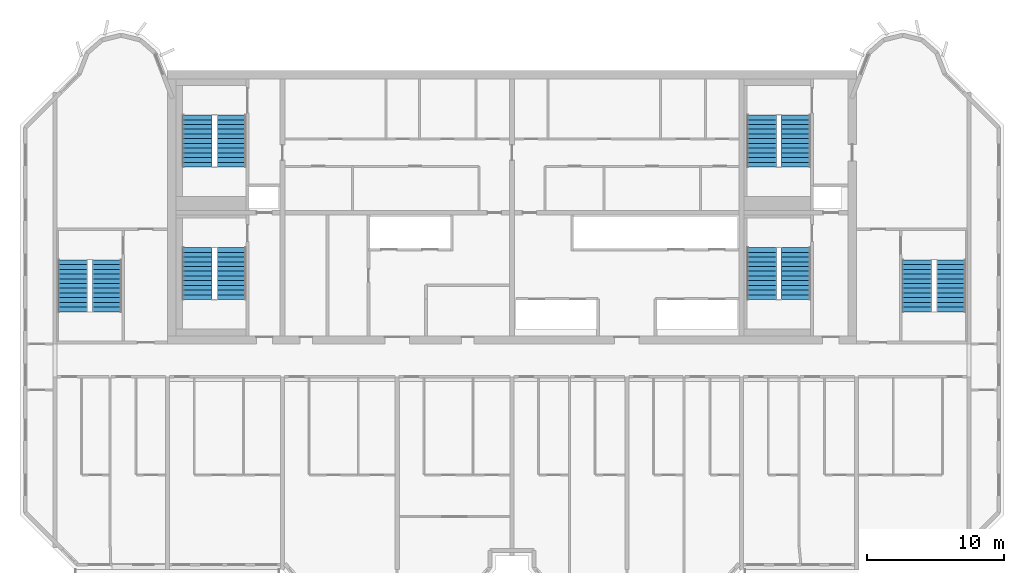
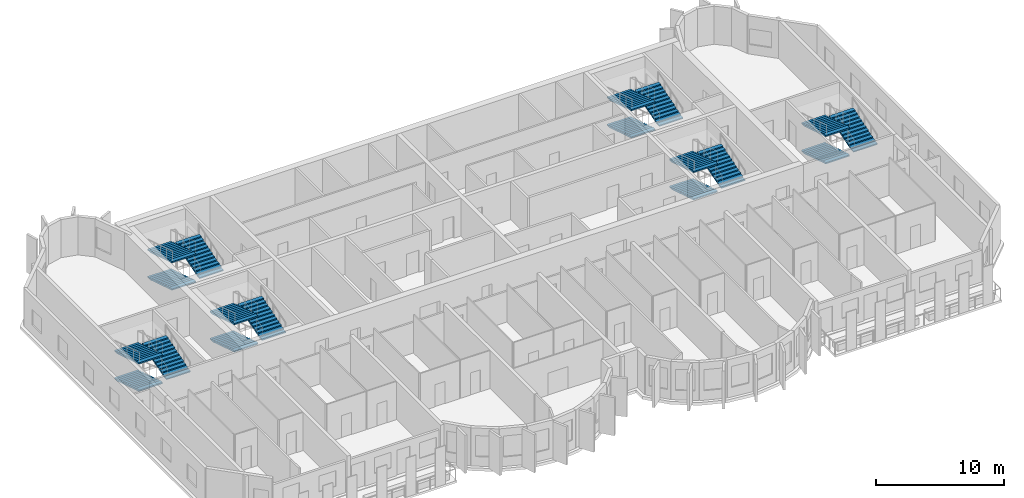
# One storey, part 9 of 11: 18 stair flights, 6 elements without a shape of their own.
"""IFC4 building model written with IfcOpenShell, lengths in metres."""

from ifc_helpers import new_model, si_unit, direction, frame, origin, place, context, subcontext, project, spatial, polyline, outline, extrude, source, transform, mapped, material, type_object, element, aggregate, save


model = new_model("IFC4")

# Units and contexts
model_context = context("Model", 3, precision=1e-05, world=origin(), true_north=direction((0.0, 1.0)))
body_context = subcontext(model_context, "Body", "Model", "MODEL_VIEW")
ifc_project = project(units=[si_unit("LENGTHUNIT", "METRE"), si_unit("AREAUNIT", "SQUARE_METRE"), si_unit("VOLUMEUNIT", "CUBIC_METRE"), si_unit("PLANEANGLEUNIT", "RADIAN"), si_unit("MASSUNIT", "GRAM", prefix="KILO")], contexts=[model_context])

# Site, building, storey
site_placement = place(None, origin())
site = spatial("IfcSite", under=ifc_project, at=site_placement, CompositionType="ELEMENT")
building_placement = place(site_placement, origin())
building = spatial("IfcBuilding", under=site, at=building_placement, Name="Vanashikhar Sky Hotel", CompositionType="ELEMENT")
storey_placement = place(building_placement, frame((0.0, 0.0, 217.89990234375)))
storey = spatial("IfcBuildingStorey", under=building, at=storey_placement, Name="L52", CompositionType="ELEMENT", Elevation=217.89990234375)

# Stair, stair flights
ifc_material = material(Name="Concrete M40", Category="concrete")
stair_type = type_object("IfcStairType", Name="Exit stair 2150", PredefinedType="DOUBLE_RETURN_STAIR", material=ifc_material)
stair_1_placement = place(storey_placement, origin())
stair_1 = element("IfcStair", 1, at=stair_1_placement, inside=storey, type_object=stair_type, Name="L52 Exit stair 1", PredefinedType="DOUBLE_RETURN_STAIR")
stair_flight_type = type_object("IfcStairFlightType", Name="Stair flight 2150", PredefinedType="STRAIGHT", material=ifc_material)
shared_shape = source(origin(), body_context, "Body", "SweptSolid", [
    extrude(outline(polyline([(0.0, 0.0), (0.0, 0.1083984375), (0.345458984375, 0.1083984375), (0.345458984375, 0.216552734375), (0.69091796875, 0.216552734375), (0.69091796875, 0.324951171875), (1.036376953125, 0.324951171875), (1.036376953125, 0.433349609375), (1.3818359375, 0.433349609375), (1.3818359375, 0.541748046875), (1.727294921875, 0.541748046875), (1.727294921875, 0.64990234375), (2.07275390625, 0.64990234375), (2.07275390625, 0.75830078125), (2.418212890625, 0.75830078125), (2.418212890625, 0.86669921875), (2.763671875, 0.86669921875), (2.763671875, 0.97509765625), (3.109130859375, 0.97509765625), (3.109130859375, 1.083251953125), (3.45458984375, 1.083251953125), (3.45458984375, 1.191650390625), (3.800048828125, 1.191650390625), (3.800048828125, 1.300048828125), (3.800048828125, 1.065673828125), (0.4013671875, 0.0), (0.0, 0.0)])), frame((0.0, 1.074951171875, 0.0), z_axis=(0.0, -1.0, 0.0), x_axis=(1.0, 0.0, 0.0)), (0.0, 0.0, 1.0), 2.14990234375),
])
stair_flight_1_placement = place(storey_placement, frame((27.375, 29.050048828125, 0.0), z_axis=(0.0, 0.0, 1.0), x_axis=(0.0, -1.0, 0.0)))
stair_flight_1 = element("IfcStairFlight", 2, at=stair_flight_1_placement, type_object=stair_flight_type, Name="ST-C1 flight 1", NumberOfRisers=12, NumberOfTreads=11, PredefinedType="STRAIGHT", RiserHeight=0.108333333, TreadLength=0.345454545, context=body_context, shape_type="MappedRepresentation", body=[
    mapped(shared_shape, transform((0.0, 0.0, 0.0), scale=1.0)),
])
stair_flight_2_placement = place(storey_placement, frame((29.875, 25.25, 1.300048828125), z_axis=(0.0, 0.0, 1.0), x_axis=(0.0, 1.0, 0.0)))
stair_flight_2 = element("IfcStairFlight", 3, at=stair_flight_2_placement, type_object=stair_flight_type, Name="ST-C1 flight 2", NumberOfRisers=12, NumberOfTreads=11, PredefinedType="STRAIGHT", RiserHeight=0.108333333, TreadLength=0.345454545, context=body_context, shape_type="MappedRepresentation", body=[
    mapped(shared_shape, transform((0.0, 0.0, 0.0), scale=1.0)),
])
stair_flight_3_placement = place(storey_placement, frame((27.375, 29.050048828125, 2.60009765625), z_axis=(0.0, 0.0, 1.0), x_axis=(0.0, -1.0, 0.0)))
stair_flight_3 = element("IfcStairFlight", 4, at=stair_flight_3_placement, type_object=stair_flight_type, Name="ST-C1 flight 3", NumberOfRisers=12, NumberOfTreads=11, PredefinedType="STRAIGHT", RiserHeight=0.108333333, TreadLength=0.345454545, context=body_context, shape_type="MappedRepresentation", body=[
    mapped(shared_shape, transform((0.0, 0.0, 0.0), scale=1.0)),
])
aggregate(stair_1, [stair_flight_1, stair_flight_2, stair_flight_3])

stair_2_placement = place(storey_placement, origin())
stair_2 = element("IfcStair", 5, at=stair_2_placement, inside=storey, type_object=stair_type, Name="L52 Exit stair 2", PredefinedType="DOUBLE_RETURN_STAIR")
stair_flight_4_placement = place(storey_placement, frame((68.675048828125, 29.050048828125, 0.0), z_axis=(0.0, 0.0, 1.0), x_axis=(0.0, -1.0, 0.0)))
stair_flight_4 = element("IfcStairFlight", 6, at=stair_flight_4_placement, type_object=stair_flight_type, Name="ST-C2 flight 1", NumberOfRisers=12, NumberOfTreads=11, PredefinedType="STRAIGHT", RiserHeight=0.108333333, TreadLength=0.345454545, context=body_context, shape_type="MappedRepresentation", body=[
    mapped(shared_shape, transform((0.0, 0.0, 0.0), scale=1.0)),
])
stair_flight_5_placement = place(storey_placement, frame((71.175048828125, 25.25, 1.300048828125), z_axis=(0.0, 0.0, 1.0), x_axis=(0.0, 1.0, 0.0)))
stair_flight_5 = element("IfcStairFlight", 7, at=stair_flight_5_placement, type_object=stair_flight_type, Name="ST-C2 flight 2", NumberOfRisers=12, NumberOfTreads=11, PredefinedType="STRAIGHT", RiserHeight=0.108333333, TreadLength=0.345454545, context=body_context, shape_type="MappedRepresentation", body=[
    mapped(shared_shape, transform((0.0, 0.0, 0.0), scale=1.0)),
])
stair_flight_6_placement = place(storey_placement, frame((68.675048828125, 29.050048828125, 2.60009765625), z_axis=(0.0, 0.0, 1.0), x_axis=(0.0, -1.0, 0.0)))
stair_flight_6 = element("IfcStairFlight", 8, at=stair_flight_6_placement, type_object=stair_flight_type, Name="ST-C2 flight 3", NumberOfRisers=12, NumberOfTreads=11, PredefinedType="STRAIGHT", RiserHeight=0.108333333, TreadLength=0.345454545, context=body_context, shape_type="MappedRepresentation", body=[
    mapped(shared_shape, transform((0.0, 0.0, 0.0), scale=1.0)),
])
aggregate(stair_2, [stair_flight_4, stair_flight_5, stair_flight_6])

stair_3_placement = place(storey_placement, origin())
stair_3 = element("IfcStair", 9, at=stair_3_placement, inside=storey, type_object=stair_type, Name="L52 Exit stair 3", PredefinedType="DOUBLE_RETURN_STAIR")
stair_flight_7_placement = place(storey_placement, frame((18.27490234375, 28.14990234375, 0.0), z_axis=(0.0, 0.0, 1.0), x_axis=(0.0, -1.0, 0.0)))
stair_flight_7 = element("IfcStairFlight", 10, at=stair_flight_7_placement, type_object=stair_flight_type, Name="ST-W flight 1", NumberOfRisers=12, NumberOfTreads=11, PredefinedType="STRAIGHT", RiserHeight=0.108333333, TreadLength=0.345454545, context=body_context, shape_type="MappedRepresentation", body=[
    mapped(shared_shape, transform((0.0, 0.0, 0.0), scale=1.0)),
])
stair_flight_8_placement = place(storey_placement, frame((20.77490234375, 24.35009765625, 1.300048828125), z_axis=(0.0, 0.0, 1.0), x_axis=(0.0, 1.0, 0.0)))
stair_flight_8 = element("IfcStairFlight", 11, at=stair_flight_8_placement, type_object=stair_flight_type, Name="ST-W flight 2", NumberOfRisers=12, NumberOfTreads=11, PredefinedType="STRAIGHT", RiserHeight=0.108333333, TreadLength=0.345454545, context=body_context, shape_type="MappedRepresentation", body=[
    mapped(shared_shape, transform((0.0, 0.0, 0.0), scale=1.0)),
])
stair_flight_9_placement = place(storey_placement, frame((18.27490234375, 28.14990234375, 2.60009765625), z_axis=(0.0, 0.0, 1.0), x_axis=(0.0, -1.0, 0.0)))
stair_flight_9 = element("IfcStairFlight", 12, at=stair_flight_9_placement, type_object=stair_flight_type, Name="ST-W flight 3", NumberOfRisers=12, NumberOfTreads=11, PredefinedType="STRAIGHT", RiserHeight=0.108333333, TreadLength=0.345454545, context=body_context, shape_type="MappedRepresentation", body=[
    mapped(shared_shape, transform((0.0, 0.0, 0.0), scale=1.0)),
])
aggregate(stair_3, [stair_flight_7, stair_flight_8, stair_flight_9])

stair_4_placement = place(storey_placement, origin())
stair_4 = element("IfcStair", 13, at=stair_4_placement, inside=storey, type_object=stair_type, Name="L52 Exit stair 4", PredefinedType="DOUBLE_RETURN_STAIR")
stair_flight_10_placement = place(storey_placement, frame((80.02490234375, 28.14990234375, 0.0), z_axis=(0.0, 0.0, 1.0), x_axis=(0.0, -1.0, 0.0)))
stair_flight_10 = element("IfcStairFlight", 14, at=stair_flight_10_placement, type_object=stair_flight_type, Name="ST-E flight 1", NumberOfRisers=12, NumberOfTreads=11, PredefinedType="STRAIGHT", RiserHeight=0.108333333, TreadLength=0.345454545, context=body_context, shape_type="MappedRepresentation", body=[
    mapped(shared_shape, transform((0.0, 0.0, 0.0), scale=1.0)),
])
stair_flight_11_placement = place(storey_placement, frame((82.52490234375, 24.35009765625, 1.300048828125), z_axis=(0.0, 0.0, 1.0), x_axis=(0.0, 1.0, 0.0)))
stair_flight_11 = element("IfcStairFlight", 15, at=stair_flight_11_placement, type_object=stair_flight_type, Name="ST-E flight 2", NumberOfRisers=12, NumberOfTreads=11, PredefinedType="STRAIGHT", RiserHeight=0.108333333, TreadLength=0.345454545, context=body_context, shape_type="MappedRepresentation", body=[
    mapped(shared_shape, transform((0.0, 0.0, 0.0), scale=1.0)),
])
stair_flight_12_placement = place(storey_placement, frame((80.02490234375, 28.14990234375, 2.60009765625), z_axis=(0.0, 0.0, 1.0), x_axis=(0.0, -1.0, 0.0)))
stair_flight_12 = element("IfcStairFlight", 16, at=stair_flight_12_placement, type_object=stair_flight_type, Name="ST-E flight 3", NumberOfRisers=12, NumberOfTreads=11, PredefinedType="STRAIGHT", RiserHeight=0.108333333, TreadLength=0.345454545, context=body_context, shape_type="MappedRepresentation", body=[
    mapped(shared_shape, transform((0.0, 0.0, 0.0), scale=1.0)),
])
aggregate(stair_4, [stair_flight_10, stair_flight_11, stair_flight_12])

stair_5_placement = place(storey_placement, origin())
stair_5 = element("IfcStair", 17, at=stair_5_placement, inside=storey, type_object=stair_type, Name="L52 Exit stair 5", PredefinedType="DOUBLE_RETURN_STAIR")
stair_flight_13_placement = place(storey_placement, frame((27.375, 38.75, 0.0), z_axis=(0.0, 0.0, 1.0), x_axis=(0.0, -1.0, 0.0)))
stair_flight_13 = element("IfcStairFlight", 18, at=stair_flight_13_placement, type_object=stair_flight_type, Name="ST-C3 flight 1", NumberOfRisers=12, NumberOfTreads=11, PredefinedType="STRAIGHT", RiserHeight=0.108333333, TreadLength=0.345454545, context=body_context, shape_type="MappedRepresentation", body=[
    mapped(shared_shape, transform((0.0, 0.0, 0.0), scale=1.0)),
])
stair_flight_14_placement = place(storey_placement, frame((29.875, 34.949951171875, 1.300048828125), z_axis=(0.0, 0.0, 1.0), x_axis=(0.0, 1.0, 0.0)))
stair_flight_14 = element("IfcStairFlight", 19, at=stair_flight_14_placement, type_object=stair_flight_type, Name="ST-C3 flight 2", NumberOfRisers=12, NumberOfTreads=11, PredefinedType="STRAIGHT", RiserHeight=0.108333333, TreadLength=0.345454545, context=body_context, shape_type="MappedRepresentation", body=[
    mapped(shared_shape, transform((0.0, 0.0, 0.0), scale=1.0)),
])
stair_flight_15_placement = place(storey_placement, frame((27.375, 38.75, 2.60009765625), z_axis=(0.0, 0.0, 1.0), x_axis=(0.0, -1.0, 0.0)))
stair_flight_15 = element("IfcStairFlight", 20, at=stair_flight_15_placement, type_object=stair_flight_type, Name="ST-C3 flight 3", NumberOfRisers=12, NumberOfTreads=11, PredefinedType="STRAIGHT", RiserHeight=0.108333333, TreadLength=0.345454545, context=body_context, shape_type="MappedRepresentation", body=[
    mapped(shared_shape, transform((0.0, 0.0, 0.0), scale=1.0)),
])
aggregate(stair_5, [stair_flight_13, stair_flight_14, stair_flight_15])

stair_6_placement = place(storey_placement, origin())
stair_6 = element("IfcStair", 21, at=stair_6_placement, inside=storey, type_object=stair_type, Name="L52 Exit stair 6", PredefinedType="DOUBLE_RETURN_STAIR")
stair_flight_16_placement = place(storey_placement, frame((68.675048828125, 38.75, 0.0), z_axis=(0.0, 0.0, 1.0), x_axis=(0.0, -1.0, 0.0)))
stair_flight_16 = element("IfcStairFlight", 22, at=stair_flight_16_placement, type_object=stair_flight_type, Name="ST-C4 flight 1", NumberOfRisers=12, NumberOfTreads=11, PredefinedType="STRAIGHT", RiserHeight=0.108333333, TreadLength=0.345454545, context=body_context, shape_type="MappedRepresentation", body=[
    mapped(shared_shape, transform((0.0, 0.0, 0.0), scale=1.0)),
])
stair_flight_17_placement = place(storey_placement, frame((71.175048828125, 34.949951171875, 1.300048828125), z_axis=(0.0, 0.0, 1.0), x_axis=(0.0, 1.0, 0.0)))
stair_flight_17 = element("IfcStairFlight", 23, at=stair_flight_17_placement, type_object=stair_flight_type, Name="ST-C4 flight 2", NumberOfRisers=12, NumberOfTreads=11, PredefinedType="STRAIGHT", RiserHeight=0.108333333, TreadLength=0.345454545, context=body_context, shape_type="MappedRepresentation", body=[
    mapped(shared_shape, transform((0.0, 0.0, 0.0), scale=1.0)),
])
stair_flight_18_placement = place(storey_placement, frame((68.675048828125, 38.75, 2.60009765625), z_axis=(0.0, 0.0, 1.0), x_axis=(0.0, -1.0, 0.0)))
stair_flight_18 = element("IfcStairFlight", 24, at=stair_flight_18_placement, type_object=stair_flight_type, Name="ST-C4 flight 3", NumberOfRisers=12, NumberOfTreads=11, PredefinedType="STRAIGHT", RiserHeight=0.108333333, TreadLength=0.345454545, context=body_context, shape_type="MappedRepresentation", body=[
    mapped(shared_shape, transform((0.0, 0.0, 0.0), scale=1.0)),
])
aggregate(stair_6, [stair_flight_16, stair_flight_17, stair_flight_18])

save(model, "model.ifc")
